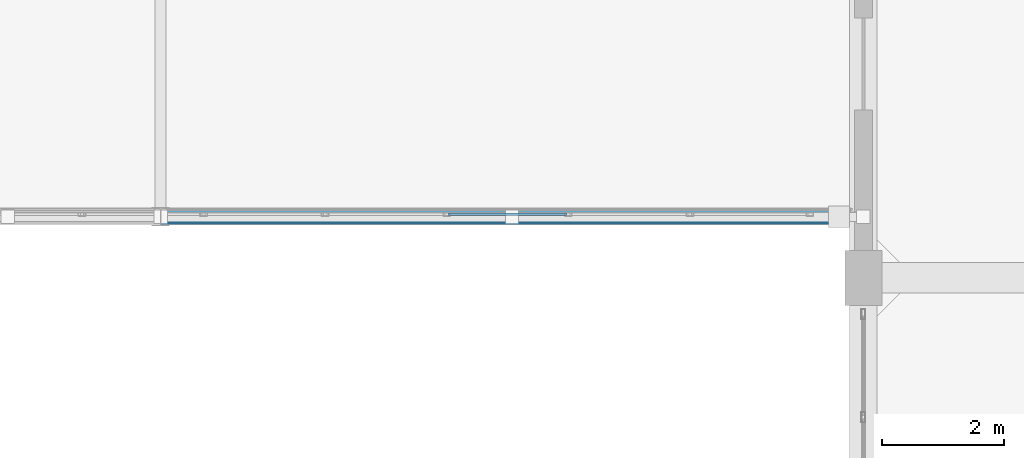
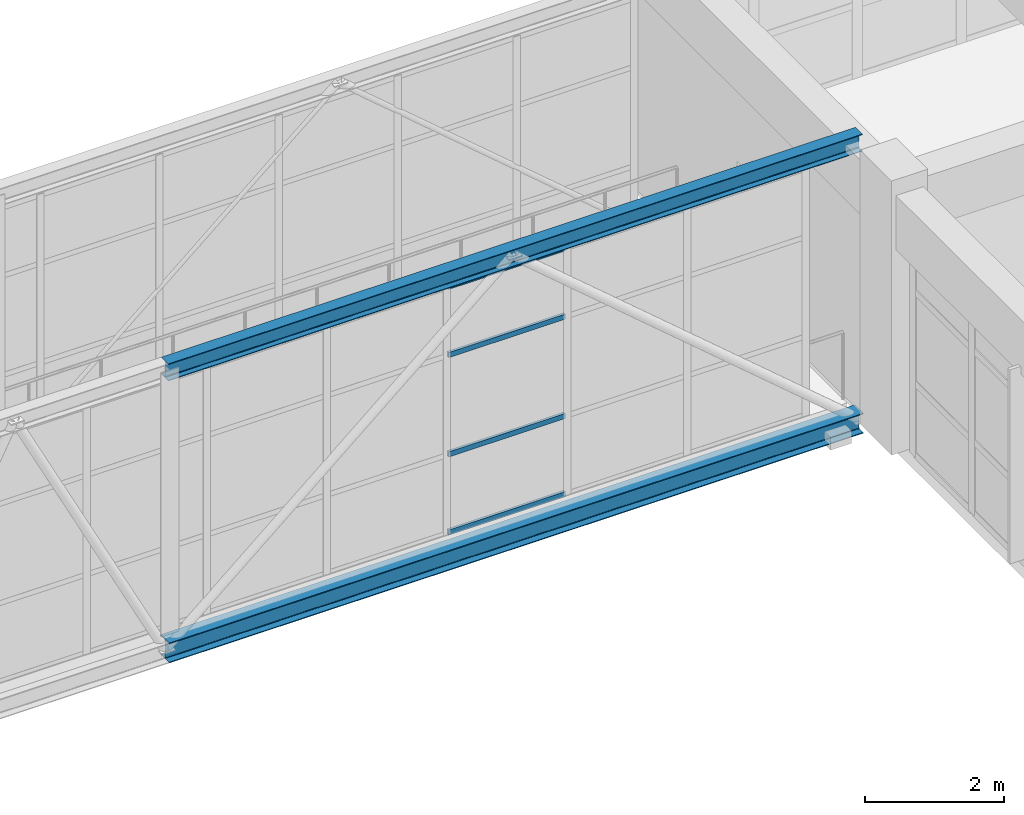
# One storey, part 173 of 248: 6 members, 1 element without a shape of its own.
"""IFC4 building model written with IfcOpenShell, lengths in metres."""

from ifc_helpers import new_model, si_unit, direction, frame, origin, origin_2d, place, context, subcontext, project, spatial, hollow_rectangle, i_section, extrude, material, layer, layer_set, material_profile, profile_set, type_object, element, aggregate, save


model = new_model("IFC4")

# Units and contexts
model_context = context("Model", 3, precision=1e-05, world=origin(), true_north=direction((0.0, 1.0)))
body_context = subcontext(model_context, "Body", "Model", "MODEL_VIEW")
ifc_project = project(units=[si_unit("LENGTHUNIT", "METRE"), si_unit("AREAUNIT", "SQUARE_METRE"), si_unit("VOLUMEUNIT", "CUBIC_METRE"), si_unit("PLANEANGLEUNIT", "RADIAN"), si_unit("MASSUNIT", "GRAM", prefix="KILO")], contexts=[model_context])

# Site, building, storey
site_placement = place(None, origin())
site = spatial("IfcSite", under=ifc_project, at=site_placement, CompositionType="ELEMENT")
building_placement = place(site_placement, origin())
building = spatial("IfcBuilding", under=site, at=building_placement, Name="Canggui Botanical Conservatory", CompositionType="ELEMENT")
storey_placement = place(building_placement, frame((0.0, 0.0, 5.39990234375)))
storey = spatial("IfcBuildingStorey", under=building, at=storey_placement, Name="L02", CompositionType="ELEMENT", Elevation=5.39990234375)

# Curtain wall, members
ifc_material_1 = material(Name="Thermally Broken Aluminium", Category="aluminium")
ifc_layer = layer(ifc_material_1, 0.1201171875, Name="Thermally Broken Aluminium", Category="aluminium")
ifc_layer_set = layer_set([ifc_layer], Name="Thermally Broken Aluminium")
curtain_wall_type = type_object("IfcCurtainWallType", Name="CW-STICK-B", PredefinedType="USERDEFINED", material=ifc_layer_set)
curtain_wall_placement = place(storey_placement, origin())
curtain_wall = element("IfcCurtainWall", 1, at=curtain_wall_placement, inside=storey, type_object=curtain_wall_type, Name="Facade Curtain Wall CW-SB-04-1", ObjectType="STICK GLAZED WALL", PredefinedType="USERDEFINED")
ifc_material_profile_1 = material_profile(ifc_material_1, hollow_rectangle(XDim=0.044921875, YDim=0.090087890625, WallThickness=0.0029296875, at=origin_2d()), Name="CWT 45x90x3")
ifc_profile_set_1 = profile_set([ifc_material_profile_1], Name="Thermally Broken Aluminium")
member_type_1 = type_object("IfcMemberType", Name="CWT-05", PredefinedType="USERDEFINED", material=ifc_profile_set_1)
member_1_placement = place(storey_placement, frame((123.20947265625, 75.0400390625, 0.022705078125), z_axis=(1.0, 0.0, 0.0), x_axis=(0.0, 1.0, 0.0)))
member_1 = element("IfcMember", 2, at=member_1_placement, type_object=member_type_1, Name="CW-05 transom 29.1", ObjectType="TRANSOM", PredefinedType="USERDEFINED", context=body_context, shape_type="SweptSolid", body=[
    extrude(hollow_rectangle(XDim=0.044921875, YDim=0.090087890625, WallThickness=0.0029296875, at=origin_2d()), origin(), (0.0, 0.0, 1.0), 1.934326171875),
])
member_2_placement = place(storey_placement, frame((123.20947265625, 75.0400390625, 1.39208984375), z_axis=(1.0, 0.0, 0.0), x_axis=(0.0, 1.0, 0.0)))
member_2 = element("IfcMember", 3, at=member_2_placement, type_object=member_type_1, Name="CW-05 transom 29.2", ObjectType="TRANSOM", PredefinedType="USERDEFINED", context=body_context, shape_type="SweptSolid", body=[
    extrude(hollow_rectangle(XDim=0.044921875, YDim=0.090087890625, WallThickness=0.0029296875, at=origin_2d()), origin(), (0.0, 0.0, 1.0), 1.934326171875),
])
member_3_placement = place(storey_placement, frame((123.20947265625, 75.0400390625, 3.132080078125), z_axis=(1.0, 0.0, 0.0), x_axis=(0.0, 1.0, 0.0)))
member_3 = element("IfcMember", 4, at=member_3_placement, type_object=member_type_1, Name="CW-05 transom 29.3", ObjectType="TRANSOM", PredefinedType="USERDEFINED", context=body_context, shape_type="SweptSolid", body=[
    extrude(hollow_rectangle(XDim=0.044921875, YDim=0.090087890625, WallThickness=0.0029296875, at=origin_2d()), origin(), (0.0, 0.0, 1.0), 1.934326171875),
])
member_4_placement = place(storey_placement, frame((123.20947265625, 75.0400390625, 4.32763671875), z_axis=(1.0, 0.0, 0.0), x_axis=(0.0, 1.0, 0.0)))
member_4 = element("IfcMember", 5, at=member_4_placement, type_object=member_type_1, Name="CW-05 transom 29.4", ObjectType="TRANSOM", PredefinedType="USERDEFINED", context=body_context, shape_type="SweptSolid", body=[
    extrude(hollow_rectangle(XDim=0.044921875, YDim=0.090087890625, WallThickness=0.0029296875, at=origin_2d()), origin(), (0.0, 0.0, 1.0), 1.934326171875),
])
aggregate(curtain_wall, [member_1, member_2, member_3, member_4])

# Members
ifc_material_2 = material(Name="Steel Q355B", Category="steel")
ifc_material_profile_2 = material_profile(ifc_material_2, i_section(OverallWidth=0.25, OverallDepth=0.35009765625, WebThickness=0.009033203125, FlangeThickness=0.013916015625, FilletRadius=0.02001953125, at=origin_2d()), Name="HM 350x250x9x14")
ifc_profile_set_2 = profile_set([ifc_material_profile_2], Name="Steel Q355B")
member_type_2 = type_object("IfcMemberType", Name="MEM-TC03", PredefinedType="CHORD", material=ifc_profile_set_2)
member_5_placement = place(storey_placement, frame((118.5, 75.0, -0.349853515625), z_axis=(1.0, 0.0, 0.0), x_axis=(0.0, 1.0, 0.0)))
element("IfcMember", 6, at=member_5_placement, inside=storey, type_object=member_type_2, Name="SB-04 Deck Truss Bottom Chord 1.9", PredefinedType="CHORD", context=body_context, shape_type="SweptSolid", body=[
    extrude(i_section(OverallWidth=0.25, OverallDepth=0.35009765625, WebThickness=0.009033203125, FlangeThickness=0.013916015625, FilletRadius=0.02001953125, at=origin_2d()), origin(), (0.0, 0.0, 1.0), 11.5),
])
ifc_material_profile_3 = material_profile(ifc_material_2, i_section(OverallWidth=0.199951171875, OverallDepth=0.300048828125, WebThickness=0.008056640625, FlangeThickness=0.011962890625, FilletRadius=0.01806640625, at=origin_2d()), Name="HM 300x200x8x12")
ifc_profile_set_3 = profile_set([ifc_material_profile_3], Name="Steel Q355B")
member_type_3 = type_object("IfcMemberType", Name="MEM-TC04", PredefinedType="CHORD", material=ifc_profile_set_3)
member_6_placement = place(storey_placement, frame((118.5, 75.0, 4.550048828125), z_axis=(1.0, 0.0, 0.0), x_axis=(0.0, 1.0, 0.0)))
element("IfcMember", 7, at=member_6_placement, inside=storey, type_object=member_type_3, Name="SB-04 Roof Truss Top Chord 1.9", PredefinedType="CHORD", context=body_context, shape_type="SweptSolid", body=[
    extrude(i_section(OverallWidth=0.199951171875, OverallDepth=0.300048828125, WebThickness=0.008056640625, FlangeThickness=0.011962890625, FilletRadius=0.01806640625, at=origin_2d()), origin(), (0.0, 0.0, 1.0), 11.5),
])

save(model, "model.ifc")
